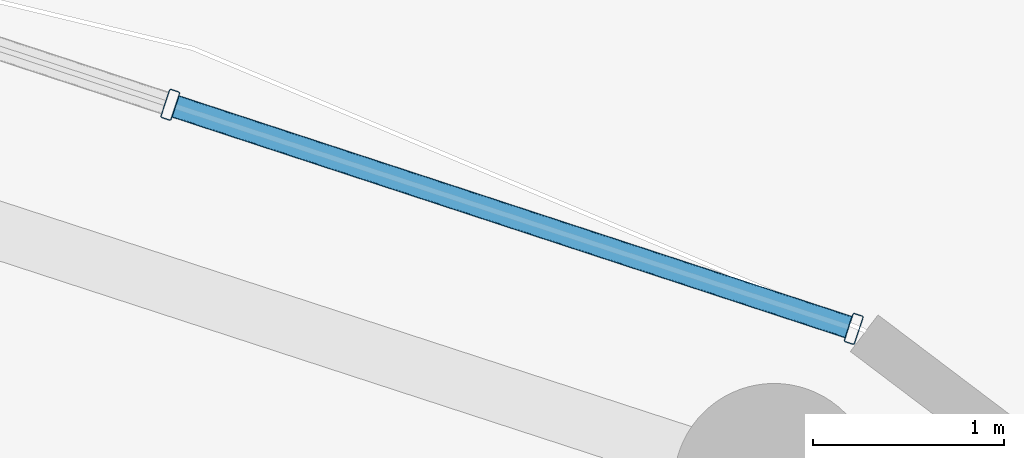
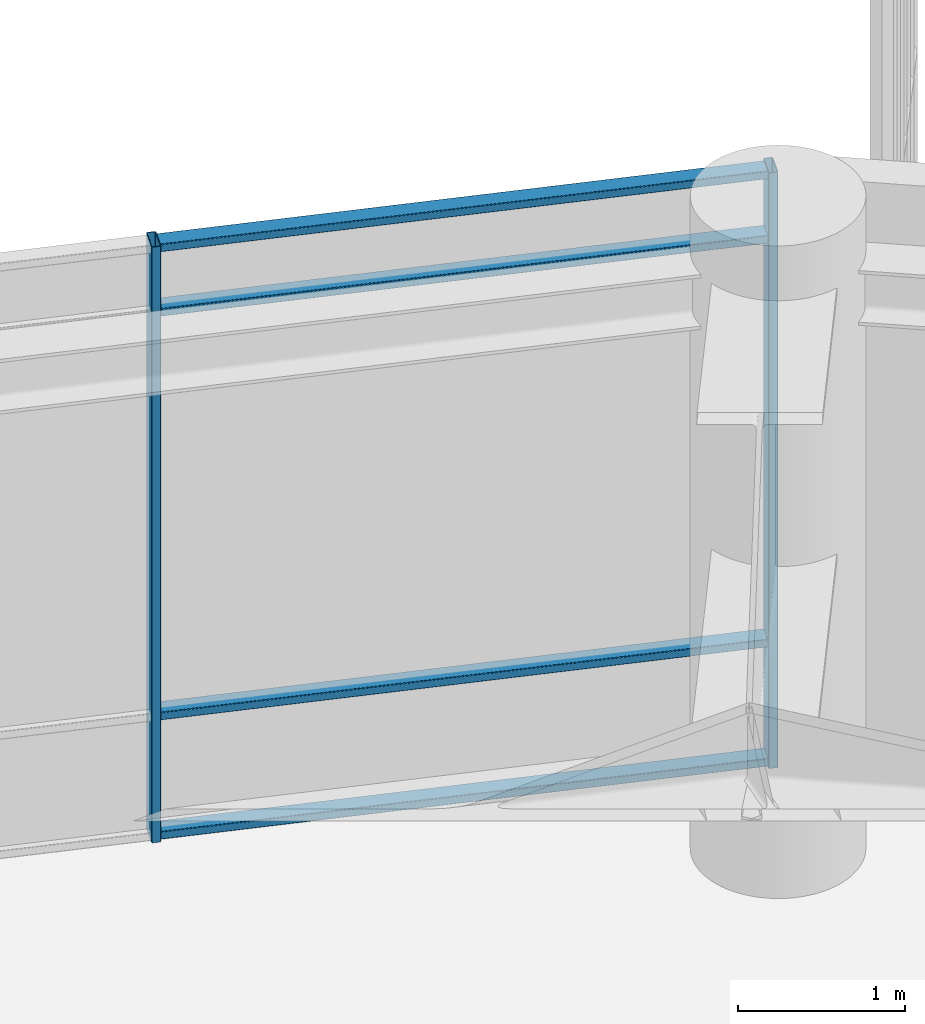
# One storey, part 20 of 29: 6 members, 1 element without a shape of its own.
"""IFC4 building model written with IfcOpenShell, lengths in metres."""

from ifc_helpers import new_model, si_unit, direction, frame, origin, origin_2d, place, context, subcontext, project, spatial, hollow_rectangle, extrude, material, layer, layer_set, material_profile, profile_set, type_object, element, aggregate, save


model = new_model("IFC4")

# Units and contexts
model_context = context("Model", 3, precision=1e-05, world=origin(), true_north=direction((0.0, 1.0)))
body_context = subcontext(model_context, "Body", "Model", "MODEL_VIEW")
ifc_project = project(units=[si_unit("LENGTHUNIT", "METRE"), si_unit("AREAUNIT", "SQUARE_METRE"), si_unit("VOLUMEUNIT", "CUBIC_METRE"), si_unit("PLANEANGLEUNIT", "RADIAN"), si_unit("MASSUNIT", "GRAM", prefix="KILO")], contexts=[model_context])

# Site, building, storey
site_placement = place(None, origin())
site = spatial("IfcSite", under=ifc_project, at=site_placement, CompositionType="ELEMENT")
building_placement = place(site_placement, origin())
building = spatial("IfcBuilding", under=site, at=building_placement, Name="Kelanora Arch Commons", CompositionType="ELEMENT")
storey_placement = place(building_placement, frame((0.0, 0.0, 238.199951171875)))
storey = spatial("IfcBuildingStorey", under=building, at=storey_placement, Name="L61", CompositionType="ELEMENT", Elevation=238.199951171875)

# Curtain wall, members
ifc_material_1 = material(Name="Terracotta ceramic-fritted low-E glass and aluminium", Category="masonry")
ifc_layer = layer(ifc_material_1, 0.175048828125)
ifc_layer_set = layer_set([ifc_layer], Name="Terracotta ceramic-fritted low-E glass and aluminium")
curtain_wall_type = type_object("IfcCurtainWallType", Name="CW-SYS-02", PredefinedType="NOTDEFINED", material=ifc_layer_set)
curtain_wall_placement = place(storey_placement, origin())
curtain_wall = element("IfcCurtainWall", 1, at=curtain_wall_placement, inside=storey, type_object=curtain_wall_type, Name="Unitised Curtain Wall L61-B03", PredefinedType="NOTDEFINED")
ifc_material_2 = material(Name="Powder-coated aluminium terracotta", Category="masonry")
ifc_material_profile_1 = material_profile(ifc_material_2, hollow_rectangle(XDim=0.159912109375, YDim=0.06005859375, WallThickness=0.0048828125, InnerFilletRadius=0.0048828125, OuterFilletRadius=0.010009765625, at=origin_2d()), Name="CWM160x60")
ifc_profile_set_1 = profile_set([ifc_material_profile_1], Name="Powder-coated aluminium terracotta")
member_type_1 = type_object("IfcMemberType", Name="CWM-STD", PredefinedType="MULLION", material=ifc_profile_set_1)
member_1_placement = place(storey_placement, frame((85.05712890625, 75.33447265625, 0.0), z_axis=(0.0, 0.0, 1.0), x_axis=(-0.311582439059, -0.950219124029, 0.0)))
member_1 = element("IfcMember", 2, at=member_1_placement, type_object=member_type_1, Name="CW-02 mullion 1", PredefinedType="MULLION", context=body_context, shape_type="SweptSolid", body=[
    extrude(hollow_rectangle(XDim=0.159912109375, YDim=0.06005859375, WallThickness=0.0048828125, InnerFilletRadius=0.0048828125, OuterFilletRadius=0.010009765625, at=origin_2d()), origin(), (0.0, 0.0, 1.0), 4.344970703125),
])
member_2_placement = place(storey_placement, frame((81.4775390625, 76.50830078125, 0.0), z_axis=(0.0, 0.0, 1.0), x_axis=(-0.311582439059, -0.950219124029, 0.0)))
member_2 = element("IfcMember", 3, at=member_2_placement, type_object=member_type_1, Name="CW-02 mullion 2", PredefinedType="MULLION", context=body_context, shape_type="SweptSolid", body=[
    extrude(hollow_rectangle(XDim=0.159912109375, YDim=0.06005859375, WallThickness=0.0048828125, InnerFilletRadius=0.0048828125, OuterFilletRadius=0.010009765625, at=origin_2d()), origin(), (0.0, 0.0, 1.0), 4.344970703125),
])
ifc_material_profile_2 = material_profile(ifc_material_2, hollow_rectangle(XDim=0.1201171875, YDim=0.06005859375, WallThickness=0.0048828125, InnerFilletRadius=0.0048828125, OuterFilletRadius=0.010009765625, at=origin_2d()), Name="CWT120x60")
ifc_profile_set_2 = profile_set([ifc_material_profile_2], Name="Powder-coated aluminium terracotta")
member_type_2 = type_object("IfcMemberType", Name="CWT-STD", PredefinedType="USERDEFINED", material=ifc_profile_set_2)
member_3_placement = place(storey_placement, frame((85.02880859375, 75.343994140625, 0.030029296875), z_axis=(-0.950226025222, 0.311561392011, 0.0), x_axis=(-0.311561392011, -0.950226025222, 0.0)))
member_3 = element("IfcMember", 4, at=member_3_placement, type_object=member_type_2, Name="CW-02 transom 1.1", ObjectType="TRANSOM", PredefinedType="USERDEFINED", context=body_context, shape_type="SweptSolid", body=[
    extrude(hollow_rectangle(XDim=0.1201171875, YDim=0.06005859375, WallThickness=0.0048828125, InnerFilletRadius=0.0048828125, OuterFilletRadius=0.010009765625, at=origin_2d()), origin(), (0.0, 0.0, 1.0), 3.707275390625),
])
member_4_placement = place(storey_placement, frame((85.02880859375, 75.343994140625, 0.900146484375), z_axis=(-0.950226025222, 0.311561392011, 0.0), x_axis=(-0.311561392011, -0.950226025222, 0.0)))
member_4 = element("IfcMember", 5, at=member_4_placement, type_object=member_type_2, Name="CW-02 transom 1.2", ObjectType="TRANSOM", PredefinedType="USERDEFINED", context=body_context, shape_type="SweptSolid", body=[
    extrude(hollow_rectangle(XDim=0.1201171875, YDim=0.06005859375, WallThickness=0.0048828125, InnerFilletRadius=0.0048828125, OuterFilletRadius=0.010009765625, at=origin_2d()), origin(), (0.0, 0.0, 1.0), 3.707275390625),
])
member_5_placement = place(storey_placement, frame((85.02880859375, 75.343994140625, 3.844970703125), z_axis=(-0.950226025222, 0.311561392011, 0.0), x_axis=(-0.311561392011, -0.950226025222, 0.0)))
member_5 = element("IfcMember", 6, at=member_5_placement, type_object=member_type_2, Name="CW-02 transom 1.3", ObjectType="TRANSOM", PredefinedType="USERDEFINED", context=body_context, shape_type="SweptSolid", body=[
    extrude(hollow_rectangle(XDim=0.1201171875, YDim=0.06005859375, WallThickness=0.0048828125, InnerFilletRadius=0.0048828125, OuterFilletRadius=0.010009765625, at=origin_2d()), origin(), (0.0, 0.0, 1.0), 3.707275390625),
])
member_6_placement = place(storey_placement, frame((85.02880859375, 75.343994140625, 4.31494140625), z_axis=(-0.950226025222, 0.311561392011, 0.0), x_axis=(-0.311561392011, -0.950226025222, 0.0)))
member_6 = element("IfcMember", 7, at=member_6_placement, type_object=member_type_2, Name="CW-02 transom 1.4", ObjectType="TRANSOM", PredefinedType="USERDEFINED", context=body_context, shape_type="SweptSolid", body=[
    extrude(hollow_rectangle(XDim=0.1201171875, YDim=0.06005859375, WallThickness=0.0048828125, InnerFilletRadius=0.0048828125, OuterFilletRadius=0.010009765625, at=origin_2d()), origin(), (0.0, 0.0, 1.0), 3.707275390625),
])
aggregate(curtain_wall, [member_1, member_2, member_3, member_4, member_5, member_6])

save(model, "model.ifc")
